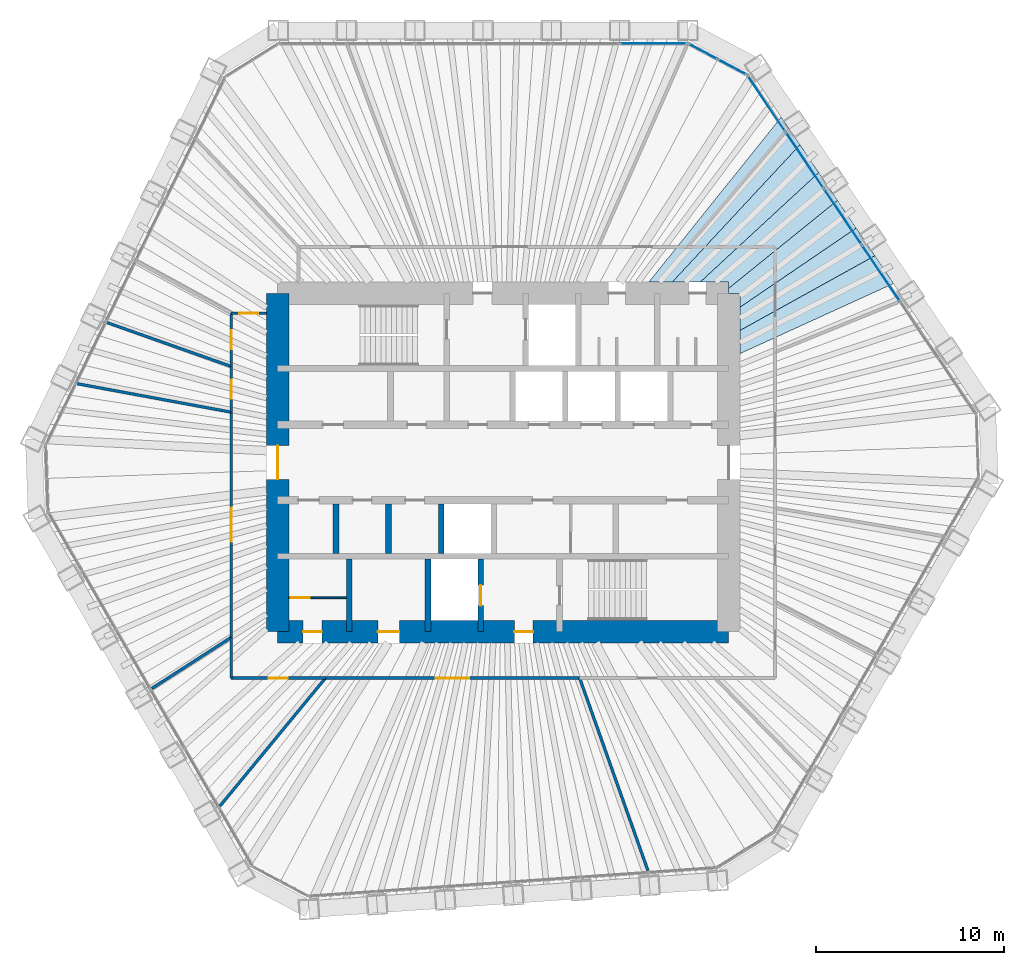
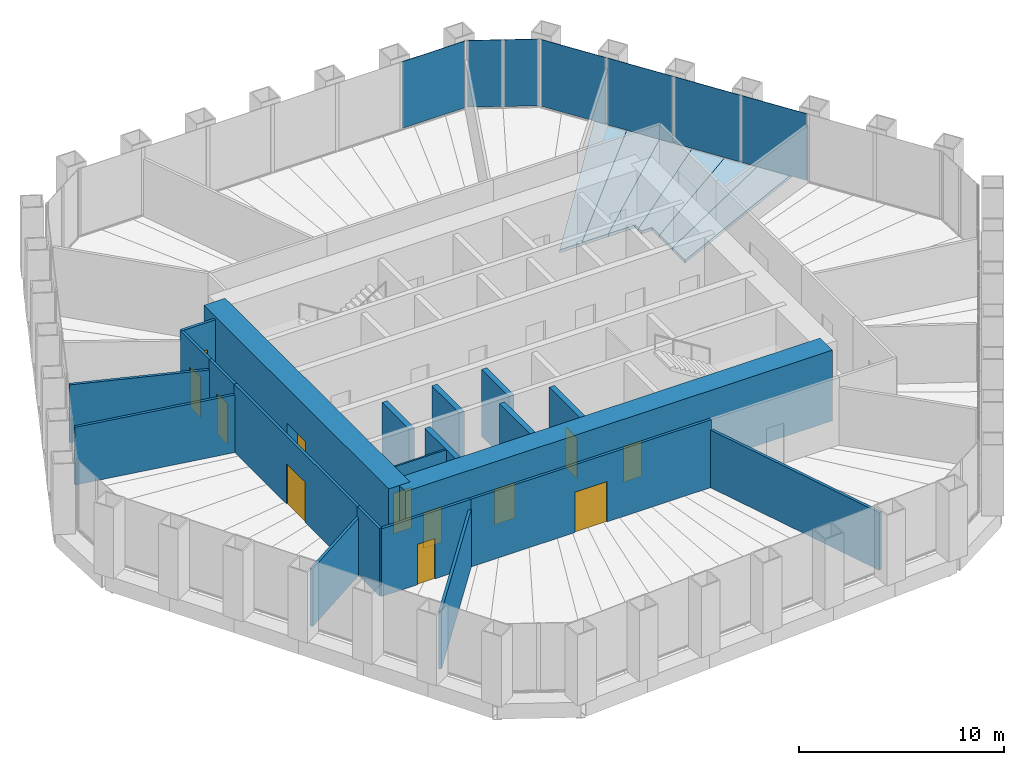
# One storey, part 10 of 13: 21 walls, 12 doors, 7 plates, 6 slabs, 12 openings, 3 elements without a shape of their own.
"""IFC4 building model written with IfcOpenShell, lengths in metres."""

from ifc_helpers import new_model, si_unit, direction, frame, frame_2d, origin, origin_2d, place, context, subcontext, project, spatial, polyline, rectangle, outline, extrude, material, layer, layer_set, type_object, element, fill, aggregate, save


model = new_model("IFC4")

# Units and contexts
model_context = context("Model", 3, precision=1e-05, world=origin(), true_north=direction((0.0, 1.0)))
body_context = subcontext(model_context, "Body", "Model", "MODEL_VIEW")
ifc_project = project(units=[si_unit("LENGTHUNIT", "METRE"), si_unit("AREAUNIT", "SQUARE_METRE"), si_unit("VOLUMEUNIT", "CUBIC_METRE"), si_unit("PLANEANGLEUNIT", "RADIAN"), si_unit("MASSUNIT", "GRAM", prefix="KILO")], contexts=[model_context])

# Site, building, storey
site_placement = place(None, origin())
site = spatial("IfcSite", under=ifc_project, at=site_placement, CompositionType="ELEMENT")
building_placement = place(site_placement, origin())
building = spatial("IfcBuilding", under=site, at=building_placement, Name="Qingtian Harvest Tower", CompositionType="ELEMENT")
storey_placement = place(building_placement, frame((0.0, 0.0, 188.800048828125)))
storey = spatial("IfcBuildingStorey", under=building, at=storey_placement, Name="L40", CompositionType="ELEMENT", Elevation=188.800048828125)

# Slabs
ifc_material_1 = material(Name="Concrete fc' 35 MPa", Category="concrete")
ifc_layer_1 = layer(ifc_material_1, 0.169921875)
ifc_layer_set_1 = layer_set([ifc_layer_1], Name="Composite floor slab FS17 170")
slab_type = type_object("IfcSlabType", Name="Composite floor slab FS17 170", PredefinedType="FLOOR", material=ifc_layer_set_1)
slab_1_placement = place(storey_placement, frame((0.0, 0.0, -0.170166015625)))
element("IfcSlab", 1, at=slab_1_placement, inside=storey, type_object=slab_type, Name="Floor slab L40 panel D45", PredefinedType="FLOOR", context=body_context, shape_type="SweptSolid", body=[
    extrude(outline(polyline([(12.60009765625, 7.023681640625), (19.7841796875, 11.003662109375), (20.780517578125, 9.526611328125), (12.60009765625, 5.7900390625), (12.60009765625, 7.023681640625)])), origin(), (0.0, 0.0, 1.0), 0.170166015625),
])
slab_2_placement = place(storey_placement, frame((0.0, 0.0, -0.170166015625)))
element("IfcSlab", 2, at=slab_2_placement, inside=storey, type_object=slab_type, Name="Floor slab L40 panel D46", PredefinedType="FLOOR", context=body_context, shape_type="SweptSolid", body=[
    extrude(outline(polyline([(12.60009765625, 8.260498046875), (18.791259765625, 12.475830078125), (19.7841796875, 11.003662109375), (12.60009765625, 7.023681640625), (12.60009765625, 8.260498046875)])), origin(), (0.0, 0.0, 1.0), 0.170166015625),
])
slab_3_placement = place(storey_placement, frame((0.0, 0.0, -0.170166015625)))
element("IfcSlab", 3, at=slab_3_placement, inside=storey, type_object=slab_type, Name="Floor slab L40 panel D47", PredefinedType="FLOOR", context=body_context, shape_type="SweptSolid", body=[
    extrude(outline(polyline([(12.60009765625, 9.0), (12.0, 9.0), (12.0, 9.2666015625), (17.795654296875, 13.95166015625), (18.791259765625, 12.475830078125), (12.60009765625, 8.260498046875), (12.60009765625, 9.0)])), origin(), (0.0, 0.0, 1.0), 0.170166015625),
])
slab_4_placement = place(storey_placement, frame((0.0, 0.0, -0.170166015625)))
element("IfcSlab", 4, at=slab_4_placement, inside=storey, type_object=slab_type, Name="Floor slab L40 panel D48", PredefinedType="FLOOR", context=body_context, shape_type="SweptSolid", body=[
    extrude(outline(polyline([(12.0, 9.60009765625), (10.48583984375, 9.60009765625), (16.79638671875, 15.43310546875), (17.795654296875, 13.95166015625), (12.0, 9.2666015625), (12.0, 9.60009765625)])), origin(), (0.0, 0.0, 1.0), 0.170166015625),
])
slab_5_placement = place(storey_placement, frame((0.0, 0.0, -0.170166015625)))
element("IfcSlab", 5, at=slab_5_placement, inside=storey, type_object=slab_type, Name="Floor slab L40 panel D49", PredefinedType="FLOOR", context=body_context, shape_type="SweptSolid", body=[
    extrude(outline(polyline([(8.998291015625, 9.60009765625), (15.800048828125, 16.910400390625), (16.79638671875, 15.43310546875), (10.48583984375, 9.60009765625), (8.998291015625, 9.60009765625)])), origin(), (0.0, 0.0, 1.0), 0.170166015625),
])
slab_6_placement = place(storey_placement, frame((0.0, 0.0, -0.170166015625)))
element("IfcSlab", 6, at=slab_6_placement, inside=storey, type_object=slab_type, Name="Floor slab L40 panel D50", PredefinedType="FLOOR", context=body_context, shape_type="SweptSolid", body=[
    extrude(outline(polyline([(7.751220703125, 9.60009765625), (14.8037109375, 18.3876953125), (15.800048828125, 16.910400390625), (8.998291015625, 9.60009765625), (7.751220703125, 9.60009765625)])), origin(), (0.0, 0.0, 1.0), 0.170166015625),
])

# Curtain wall, plate
ifc_material_2 = material(Name="Bronze-anodised aluminium curtain wall", Category="aluminium")
curtain_wall_type = type_object("IfcCurtainWallType", Name="Curtain wall CW4 office", PredefinedType="USERDEFINED", material=ifc_material_2)
curtain_wall_1_placement = place(storey_placement, origin())
curtain_wall_1 = element("IfcCurtainWall", 7, at=curtain_wall_1_placement, inside=storey, type_object=curtain_wall_type, Name="Curtain wall CW4 L40 N0-5", ObjectType="RECESSED CURTAIN WALL", PredefinedType="USERDEFINED")
ifc_material_3 = material(Name="Bronze-tinted laminated insulating glass", Category="glass")
ifc_layer_2 = layer(ifc_material_3, 0.030029296875)
ifc_layer_set_2 = layer_set([ifc_layer_2], Name="Glazed panel CWP tinted IGU")
plate_type = type_object("IfcPlateType", Name="Glazed panel CWP tinted IGU", PredefinedType="CURTAIN_PANEL", material=ifc_layer_set_2)
plate_1_placement = place(storey_placement, frame((7.996337890625, 22.300048828125, 0.06494140625), z_axis=(0.0, 0.0, 1.0), x_axis=(1.0, 0.0, 0.0)))
plate_1 = element("IfcPlate", 8, at=plate_1_placement, type_object=plate_type, Name="CW4 panel 6.1", PredefinedType="CURTAIN_PANEL", context=body_context, shape_type="SweptSolid", body=[
    extrude(rectangle(XDim=3.5361328125, YDim=0.030029296875, at=origin_2d()), origin(), (0.0, 0.0, 1.0), 3.965087890625),
])
aggregate(curtain_wall_1, [plate_1])

# Curtain wall, plates
curtain_wall_2_placement = place(storey_placement, origin())
curtain_wall_2 = element("IfcCurtainWall", 9, at=curtain_wall_2_placement, inside=storey, type_object=curtain_wall_type, Name="Curtain wall CW4 L40 NC", ObjectType="RECESSED CURTAIN WALL", PredefinedType="USERDEFINED")
plate_2_placement = place(storey_placement, frame((10.634033203125, 21.8720703125, 0.06494140625), z_axis=(0.0, 0.0, 1.0), x_axis=(0.882947592859, -0.469471562786, 0.0)))
plate_2 = element("IfcPlate", 10, at=plate_2_placement, type_object=plate_type, Name="CW4 panel 1.1", PredefinedType="CURTAIN_PANEL", context=body_context, shape_type="SweptSolid", body=[
    extrude(rectangle(XDim=1.69287109375, YDim=0.030029296875, at=origin_2d()), origin(), (0.0, 0.0, 1.0), 3.965087890625),
])
plate_3_placement = place(storey_placement, frame((12.186279296875, 21.046875, 0.06494140625), z_axis=(0.0, 0.0, 1.0), x_axis=(0.882947592859, -0.469471562786, 0.0)))
plate_3 = element("IfcPlate", 11, at=plate_3_placement, type_object=plate_type, Name="CW4 panel 2.1", PredefinedType="CURTAIN_PANEL", context=body_context, shape_type="SweptSolid", body=[
    extrude(rectangle(XDim=1.69287109375, YDim=0.030029296875, at=origin_2d()), origin(), (0.0, 0.0, 1.0), 3.965087890625),
])
aggregate(curtain_wall_2, [plate_2, plate_3])

curtain_wall_3_placement = place(storey_placement, origin())
curtain_wall_3 = element("IfcCurtainWall", 12, at=curtain_wall_3_placement, inside=storey, type_object=curtain_wall_type, Name="Curtain wall CW4 L40 NE0-5", ObjectType="RECESSED CURTAIN WALL", PredefinedType="USERDEFINED")
plate_4_placement = place(storey_placement, frame((14.01611328125, 19.09912109375, 0.06494140625), z_axis=(0.0, 0.0, 1.0), x_axis=(0.559192903471, -0.829037572555, 0.0)))
plate_4 = element("IfcPlate", 13, at=plate_4_placement, type_object=plate_type, Name="CW4 panel 1.1", PredefinedType="CURTAIN_PANEL", context=body_context, shape_type="SweptSolid", body=[
    extrude(rectangle(XDim=3.5361328125, YDim=0.030029296875, at=origin_2d()), origin(), (0.0, 0.0, 1.0), 3.965087890625),
])
plate_5_placement = place(storey_placement, frame((16.038818359375, 16.100341796875, 0.06494140625), z_axis=(0.0, 0.0, 1.0), x_axis=(0.559192903471, -0.829037572555, 0.0)))
plate_5 = element("IfcPlate", 14, at=plate_5_placement, type_object=plate_type, Name="CW4 panel 2.1", PredefinedType="CURTAIN_PANEL", context=body_context, shape_type="SweptSolid", body=[
    extrude(rectangle(XDim=3.568603515625, YDim=0.030029296875, at=origin_2d()), origin(), (0.0, 0.0, 1.0), 3.965087890625),
])
plate_6_placement = place(storey_placement, frame((18.07080078125, 13.087890625, 0.06494140625), z_axis=(0.0, 0.0, 1.0), x_axis=(0.559192903471, -0.829037572555, 0.0)))
plate_6 = element("IfcPlate", 15, at=plate_6_placement, type_object=plate_type, Name="CW4 panel 3.1", PredefinedType="CURTAIN_PANEL", context=body_context, shape_type="SweptSolid", body=[
    extrude(rectangle(XDim=3.568603515625, YDim=0.030029296875, at=origin_2d()), origin(), (0.0, 0.0, 1.0), 3.965087890625),
])
plate_7_placement = place(storey_placement, frame((20.1025390625, 10.07568359375, 0.06494140625), z_axis=(0.0, 0.0, 1.0), x_axis=(0.559192903471, -0.829037572555, 0.0)))
plate_7 = element("IfcPlate", 16, at=plate_7_placement, type_object=plate_type, Name="CW4 panel 4.1", PredefinedType="CURTAIN_PANEL", context=body_context, shape_type="SweptSolid", body=[
    extrude(rectangle(XDim=3.568603515625, YDim=0.030029296875, at=origin_2d()), origin(), (0.0, 0.0, 1.0), 3.965087890625),
])
aggregate(curtain_wall_3, [plate_4, plate_5, plate_6, plate_7])

# Walls
ifc_material_4 = material(Name="Precast concrete shaft panel", Category="concrete")
ifc_layer_3 = layer(ifc_material_4, 0.300048828125)
ifc_layer_set_3 = layer_set([ifc_layer_3], Name="Core shaft partition SW1 300")
wall_type_1 = type_object("IfcWallType", Name="Core shaft partition SW1 300", PredefinedType="PARTITIONING", material=ifc_layer_set_3)
for number, where, z_axis, x_axis, name in (
    (17, (-8.89990234375, -4.85009765625, 0.0), (0.0, 0.0, 1.0), (0.0, 1.0, 0.0), "Core shaft partition XB1 L40"),
    (18, (-6.10009765625, -4.85009765625, 0.0), (0.0, 0.0, 1.0), (0.0, 1.0, 0.0), "Core shaft partition XB2 L40"),
    (19, (-3.300048828125, -4.85009765625, 0.0), (0.0, 0.0, 1.0), (0.0, 1.0, 0.0), "Core shaft partition XB3 L40"),
):
    element("IfcWall", number, at=place(storey_placement, frame(where, z_axis=z_axis, x_axis=x_axis)), inside=storey, type_object=wall_type_1, Name=name, PredefinedType="PARTITIONING", context=body_context, shape_type="SweptSolid", body=[
        extrude(rectangle(XDim=2.650146484375, YDim=0.300048828125, at=frame_2d((1.3251953125, 0.0))), origin(), (0.0, 0.0, 1.0), 3.97998046875),
    ])
for number, where, z_axis, x_axis, name in (
    (20, (-8.199951171875, -9.0, 0.0), (0.0, 0.0, 1.0), (0.0, 1.0, 0.0), "Core shaft partition XS1 L40"),
    (21, (-4.0, -9.0, 0.0), (0.0, 0.0, 1.0), (0.0, 1.0, 0.0), "Core shaft partition XS2 L40"),
):
    element("IfcWall", number, at=place(storey_placement, frame(where, z_axis=z_axis, x_axis=x_axis)), inside=storey, type_object=wall_type_1, Name=name, PredefinedType="PARTITIONING", context=body_context, shape_type="SweptSolid", body=[
        extrude(rectangle(XDim=3.85009765625, YDim=0.300048828125, at=frame_2d((1.925048828125, 0.0))), origin(), (0.0, 0.0, 1.0), 3.97998046875),
    ])

# Wall, opening, door
wall_1_placement = place(storey_placement, frame((-1.199951171875, -9.0, 0.0), z_axis=(0.0, 0.0, 1.0), x_axis=(0.0, 1.0, 0.0)))
wall_1 = element("IfcWall", 22, at=wall_1_placement, inside=storey, type_object=wall_type_1, Name="Core shaft partition XS3 L40", PredefinedType="PARTITIONING", context=body_context, shape_type="SweptSolid", body=[
    extrude(rectangle(XDim=3.85009765625, YDim=0.300048828125, at=frame_2d((1.925048828125, 0.0))), origin(), (0.0, 0.0, 1.0), 3.97998046875),
])
opening_1_placement = place(wall_1_placement, frame((1.375, 0.0, 0.0)))
opening_1 = element("IfcOpeningElement", 23, at=opening_1_placement, cuts=wall_1, Name="Opening LD1", PredefinedType="OPENING", context=body_context, shape_type="SweptSolid", body=[
    extrude(rectangle(XDim=1.10009765625, YDim=2.39990234375, at=frame_2d((0.550048828125, 1.199951171875))), frame((0.0, 0.159912109375, 0.0), z_axis=(0.0, -1.0, 0.0), x_axis=(1.0, 0.0, 0.0)), (0.0, 0.0, 1.0), 0.320068359375),
])
ifc_material_5 = material(Name="Stainless steel lift landing door", Category="steel")
door_type_1 = type_object("IfcDoorType", Name="Lift landing door LD1 1 HR", OperationType="DOUBLE_DOOR_SLIDING", PredefinedType="DOOR", material=ifc_material_5)
door_1_placement = place(opening_1_placement, origin())
door_1 = element("IfcDoor", 24, at=door_1_placement, inside=storey, type_object=door_type_1, Name="FL2 landing door L40", OperationType="DOUBLE_DOOR_SLIDING", OverallHeight=2.39990234375, OverallWidth=1.10009765625, PredefinedType="DOOR", context=body_context, shape_type="SweptSolid", body=[
    extrude(rectangle(XDim=1.10009765625, YDim=2.39990234375, at=frame_2d((0.550048828125, 1.199951171875))), frame((0.0, 0.02490234375, 0.0), z_axis=(0.0, -1.0, 0.0), x_axis=(1.0, 0.0, 0.0)), (0.0, 0.0, 1.0), 0.050048828125),
])
fill(opening_1, door_1)

# Wall, openings, doors
ifc_material_6 = material(Name="Concrete fc' 70 MPa", Category="concrete")
ifc_layer_4 = layer(ifc_material_6, 1.199951171875)
ifc_layer_set_4 = layer_set([ifc_layer_4], Name="Core wall RC2 1200")
wall_type_2 = type_object("IfcWallType", Name="Core wall RC2 1200", PredefinedType="SHEAR", material=ifc_layer_set_4)
wall_2_placement = place(storey_placement, frame((-12.0, -9.0, 0.0), z_axis=(0.0, 0.0, 1.0), x_axis=(1.0, 0.0, 0.0)))
wall_2 = element("IfcWall", 25, at=wall_2_placement, inside=storey, type_object=wall_type_2, Name="Core wall CS L40", PredefinedType="SHEAR", context=body_context, shape_type="SweptSolid", body=[
    extrude(rectangle(XDim=24.0, YDim=1.199951171875, at=frame_2d((12.0, 0.0))), origin(), (0.0, 0.0, 1.0), 4.199951171875),
])
opening_2_placement = place(wall_2_placement, frame((1.35009765625, 0.0, 0.0)))
opening_2 = element("IfcOpeningElement", 26, at=opening_2_placement, cuts=wall_2, Name="Opening FD1", PredefinedType="OPENING", context=body_context, shape_type="SweptSolid", body=[
    extrude(rectangle(XDim=1.0, YDim=2.10009765625, at=frame_2d((0.5, 1.050048828125))), frame((0.0, 0.60986328125, 0.0), z_axis=(0.0, -1.0, 0.0), x_axis=(1.0, 0.0, 0.0)), (0.0, 0.0, 1.0), 1.219970703125),
])
opening_3_placement = place(wall_2_placement, frame((5.324951171875, 0.0, 0.0)))
opening_3 = element("IfcOpeningElement", 27, at=opening_3_placement, cuts=wall_2, Name="Opening AD1", PredefinedType="OPENING", context=body_context, shape_type="SweptSolid", body=[
    extrude(rectangle(XDim=1.14990234375, YDim=2.10009765625, at=frame_2d((0.574951171875, 1.050048828125))), frame((0.0, 0.60986328125, 0.0), z_axis=(0.0, -1.0, 0.0), x_axis=(1.0, 0.0, 0.0)), (0.0, 0.0, 1.0), 1.219970703125),
])
opening_4_placement = place(wall_2_placement, frame((12.60009765625, 0.0, 0.0)))
opening_4 = element("IfcOpeningElement", 28, at=opening_4_placement, cuts=wall_2, Name="Opening FD1", PredefinedType="OPENING", context=body_context, shape_type="SweptSolid", body=[
    extrude(rectangle(XDim=1.0, YDim=2.10009765625, at=frame_2d((0.5, 1.050048828125))), frame((0.0, 0.60986328125, 0.0), z_axis=(0.0, -1.0, 0.0), x_axis=(1.0, 0.0, 0.0)), (0.0, 0.0, 1.0), 1.219970703125),
])
ifc_material_7 = material(Name="Laminated timber door leaf", Category="wood")
door_type_2 = type_object("IfcDoorType", Name="Accessible WC door AD1 single", OperationType="SINGLE_SWING_LEFT", PredefinedType="DOOR", material=ifc_material_7)
door_2_placement = place(opening_3_placement, origin())
door_2 = element("IfcDoor", 29, at=door_2_placement, inside=storey, type_object=door_type_2, Name="AWC door L40", OperationType="SINGLE_SWING_LEFT", OverallHeight=2.10009765625, OverallWidth=1.14990234375, PredefinedType="DOOR", context=body_context, shape_type="SweptSolid", body=[
    extrude(rectangle(XDim=1.14990234375, YDim=2.10009765625, at=frame_2d((0.574951171875, 1.050048828125))), frame((0.0, 0.02490234375, 0.0), z_axis=(0.0, -1.0, 0.0), x_axis=(1.0, 0.0, 0.0)), (0.0, 0.0, 1.0), 0.050048828125),
])
fill(opening_3, door_2)
ifc_material_8 = material(Name="Steel-faced door leaf", Category="steel")
door_type_3 = type_object("IfcDoorType", Name="Fire door FD1 single 1 HR", OperationType="SINGLE_SWING_LEFT", PredefinedType="DOOR", material=ifc_material_8)
door_3_placement = place(opening_2_placement, origin())
door_3 = element("IfcDoor", 30, at=door_3_placement, inside=storey, type_object=door_type_3, Name="CLN door L40", OperationType="SINGLE_SWING_LEFT", OverallHeight=2.10009765625, OverallWidth=1.0, PredefinedType="DOOR", context=body_context, shape_type="SweptSolid", body=[
    extrude(rectangle(XDim=1.0, YDim=2.10009765625, at=frame_2d((0.5, 1.050048828125))), frame((0.0, 0.02490234375, 0.0), z_axis=(0.0, -1.0, 0.0), x_axis=(1.0, 0.0, 0.0)), (0.0, 0.0, 1.0), 0.050048828125),
])
fill(opening_2, door_3)
door_4_placement = place(opening_4_placement, origin())
door_4 = element("IfcDoor", 31, at=door_4_placement, inside=storey, type_object=door_type_3, Name="V2 door L40", OperationType="SINGLE_SWING_LEFT", OverallHeight=2.10009765625, OverallWidth=1.0, PredefinedType="DOOR", context=body_context, shape_type="SweptSolid", body=[
    extrude(rectangle(XDim=1.0, YDim=2.10009765625, at=frame_2d((0.5, 1.050048828125))), frame((0.0, 0.02490234375, 0.0), z_axis=(0.0, -1.0, 0.0), x_axis=(1.0, 0.0, 0.0)), (0.0, 0.0, 1.0), 0.050048828125),
])
fill(opening_4, door_4)

# Wall, opening, door
wall_3_placement = place(storey_placement, frame((-12.0, -9.0, 0.0), z_axis=(0.0, 0.0, 1.0), x_axis=(0.0, 1.0, 0.0)))
wall_3 = element("IfcWall", 32, at=wall_3_placement, inside=storey, type_object=wall_type_2, Name="Core wall CW L40", PredefinedType="SHEAR", context=body_context, shape_type="SweptSolid", body=[
    extrude(rectangle(XDim=18.0, YDim=1.199951171875, at=frame_2d((9.0, 0.0))), origin(), (0.0, 0.0, 1.0), 4.199951171875),
])
opening_5_placement = place(wall_3_placement, frame((8.10009765625, 0.0, 0.0)))
opening_5 = element("IfcOpeningElement", 33, at=opening_5_placement, cuts=wall_3, Name="Opening FD2", PredefinedType="OPENING", context=body_context, shape_type="SweptSolid", body=[
    extrude(rectangle(XDim=1.800048828125, YDim=2.10009765625, at=frame_2d((0.89990234375, 1.050048828125))), frame((0.0, 0.60986328125, 0.0), z_axis=(0.0, -1.0, 0.0), x_axis=(1.0, 0.0, 0.0)), (0.0, 0.0, 1.0), 1.219970703125),
])
ifc_material_9 = material(Name="Steel-faced door leaf", Category="steel")
door_type_4 = type_object("IfcDoorType", Name="Fire door FD2 double 1 HR", OperationType="DOUBLE_DOOR_DOUBLE_SWING", PredefinedType="DOOR", material=ifc_material_9)
door_5_placement = place(opening_5_placement, origin())
door_5 = element("IfcDoor", 34, at=door_5_placement, inside=storey, type_object=door_type_4, Name="LOBBY-W door L40", OperationType="DOUBLE_DOOR_DOUBLE_SWING", OverallHeight=2.10009765625, OverallWidth=1.800048828125, PredefinedType="DOOR", context=body_context, shape_type="SweptSolid", body=[
    extrude(rectangle(XDim=1.800048828125, YDim=2.10009765625, at=frame_2d((0.89990234375, 1.050048828125))), frame((0.0, 0.02490234375, 0.0), z_axis=(0.0, -1.0, 0.0), x_axis=(1.0, 0.0, 0.0)), (0.0, 0.0, 1.0), 0.050048828125),
])
fill(opening_5, door_5)

# Wall
ifc_material_10 = material(Name="Gypsum board on steel studs", Category="steel")
ifc_layer_5 = layer(ifc_material_10, 0.14990234375)
ifc_layer_set_5 = layer_set([ifc_layer_5], Name="Partition PT1 150")
wall_type_3 = type_object("IfcWallType", Name="Partition PT1 150", PredefinedType="PARTITIONING", material=ifc_layer_set_5)
wall_4_placement = place(storey_placement, frame((-22.660888671875, 4.188720703125, 0.0), z_axis=(0.0, 0.0, 1.0), x_axis=(0.983345347199, -0.181746879316, 0.0)))
element("IfcWall", 35, at=wall_4_placement, inside=storey, type_object=wall_type_3, Name="Private office wall L40", PredefinedType="PARTITIONING", context=body_context, shape_type="SweptSolid", body=[
    extrude(rectangle(XDim=8.324462890625, YDim=0.14990234375, at=frame_2d((4.162109375, 0.0))), origin(), (0.0, 0.0, 1.0), 3.429931640625),
])

# Wall, opening, door
wall_5_placement = place(storey_placement, frame((-14.47509765625, 2.67578125, 0.0), z_axis=(0.0, 0.0, 1.0), x_axis=(0.0, 1.0, 0.0)))
wall_5 = element("IfcWall", 36, at=wall_5_placement, inside=storey, type_object=wall_type_3, Name="Private office wall L40", PredefinedType="PARTITIONING", context=body_context, shape_type="SweptSolid", body=[
    extrude(rectangle(XDim=2.4345703125, YDim=0.14990234375, at=frame_2d((1.21728515625, 0.0))), origin(), (0.0, 0.0, 1.0), 4.030029296875),
])
opening_6_placement = place(wall_5_placement, frame((0.71728515625, 0.0, 0.0)))
opening_6 = element("IfcOpeningElement", 37, at=opening_6_placement, cuts=wall_5, Name="Opening D2", PredefinedType="OPENING", context=body_context, shape_type="SweptSolid", body=[
    extrude(rectangle(XDim=1.0, YDim=2.39990234375, at=frame_2d((0.5, 1.199951171875))), frame((0.0, 0.0849609375, 0.0), z_axis=(0.0, -1.0, 0.0), x_axis=(1.0, 0.0, 0.0)), (0.0, 0.0, 1.0), 0.169921875),
])
ifc_material_11 = material(Name="Laminated timber door leaf", Category="wood")
door_type_5 = type_object("IfcDoorType", Name="Room door D2 single", OperationType="SINGLE_SWING_LEFT", PredefinedType="DOOR", material=ifc_material_11)
door_6_placement = place(opening_6_placement, origin())
door_6 = element("IfcDoor", 38, at=door_6_placement, inside=storey, type_object=door_type_5, Name="Private office door L40", OperationType="SINGLE_SWING_RIGHT", OverallHeight=2.39990234375, OverallWidth=1.0, PredefinedType="DOOR", context=body_context, shape_type="SweptSolid", body=[
    extrude(rectangle(XDim=1.0, YDim=2.39990234375, at=frame_2d((0.5, 1.199951171875))), frame((0.0, 0.02490234375, 0.0), z_axis=(0.0, -1.0, 0.0), x_axis=(1.0, 0.0, 0.0)), (0.0, 0.0, 1.0), 0.050048828125),
])
fill(opening_6, door_6)

# Wall
wall_6_placement = place(storey_placement, frame((-21.072021484375, 7.439453125, 0.0), z_axis=(0.0, 0.0, 1.0), x_axis=(0.94295553867, -0.332918686907, 0.0)))
element("IfcWall", 39, at=wall_6_placement, inside=storey, type_object=wall_type_3, Name="Private office wall L40", PredefinedType="PARTITIONING", context=body_context, shape_type="SweptSolid", body=[
    extrude(rectangle(XDim=6.99609375, YDim=0.14990234375, at=frame_2d((3.498046875, 0.0))), origin(), (0.0, 0.0, 1.0), 3.429931640625),
])

# Wall, opening, door
wall_7_placement = place(storey_placement, frame((-14.47509765625, 5.1103515625, 0.0), z_axis=(0.0, 0.0, 1.0), x_axis=(0.0, 1.0, 0.0)))
wall_7 = element("IfcWall", 40, at=wall_7_placement, inside=storey, type_object=wall_type_3, Name="Private office wall L40", PredefinedType="PARTITIONING", context=body_context, shape_type="SweptSolid", body=[
    extrude(rectangle(XDim=2.8310546875, YDim=0.14990234375, at=frame_2d((1.41552734375, 0.0))), origin(), (0.0, 0.0, 1.0), 4.030029296875),
])
opening_7_placement = place(wall_7_placement, frame((0.91552734375, 0.0, 0.0)))
opening_7 = element("IfcOpeningElement", 41, at=opening_7_placement, cuts=wall_7, Name="Opening D2", PredefinedType="OPENING", context=body_context, shape_type="SweptSolid", body=[
    extrude(rectangle(XDim=1.0, YDim=2.39990234375, at=frame_2d((0.5, 1.199951171875))), frame((0.0, 0.0849609375, 0.0), z_axis=(0.0, -1.0, 0.0), x_axis=(1.0, 0.0, 0.0)), (0.0, 0.0, 1.0), 0.169921875),
])
door_7_placement = place(opening_7_placement, origin())
door_7 = element("IfcDoor", 42, at=door_7_placement, inside=storey, type_object=door_type_5, Name="Private office door L40", OperationType="SINGLE_SWING_LEFT", OverallHeight=2.39990234375, OverallWidth=1.0, PredefinedType="DOOR", context=body_context, shape_type="SweptSolid", body=[
    extrude(rectangle(XDim=1.0, YDim=2.39990234375, at=frame_2d((0.5, 1.199951171875))), frame((0.0, 0.02490234375, 0.0), z_axis=(0.0, -1.0, 0.0), x_axis=(1.0, 0.0, 0.0)), (0.0, 0.0, 1.0), 0.050048828125),
])
fill(opening_7, door_7)

wall_8_placement = place(storey_placement, frame((-14.47509765625, 7.94140625, 0.0), z_axis=(0.0, 0.0, 1.0), x_axis=(1.0, 0.0, 0.0)))
wall_8 = element("IfcWall", 43, at=wall_8_placement, inside=storey, type_object=wall_type_3, Name="Huddle room wall L40", PredefinedType="PARTITIONING", context=body_context, shape_type="SweptSolid", body=[
    extrude(rectangle(XDim=1.875, YDim=0.14990234375, at=frame_2d((0.9375, 0.0))), origin(), (0.0, 0.0, 1.0), 4.030029296875),
])
opening_8_placement = place(wall_8_placement, frame((0.4375, 0.0, 0.0)))
opening_8 = element("IfcOpeningElement", 44, at=opening_8_placement, cuts=wall_8, Name="Opening D2", PredefinedType="OPENING", context=body_context, shape_type="SweptSolid", body=[
    extrude(rectangle(XDim=1.0, YDim=2.39990234375, at=frame_2d((0.5, 1.199951171875))), frame((0.0, 0.0849609375, 0.0), z_axis=(0.0, -1.0, 0.0), x_axis=(1.0, 0.0, 0.0)), (0.0, 0.0, 1.0), 0.169921875),
])
door_8_placement = place(opening_8_placement, origin())
door_8 = element("IfcDoor", 45, at=door_8_placement, inside=storey, type_object=door_type_5, Name="Huddle room door L40", OperationType="SINGLE_SWING_LEFT", OverallHeight=2.39990234375, OverallWidth=1.0, PredefinedType="DOOR", context=body_context, shape_type="SweptSolid", body=[
    extrude(rectangle(XDim=1.0, YDim=2.39990234375, at=frame_2d((0.5, 1.199951171875))), frame((0.0, 0.02490234375, 0.0), z_axis=(0.0, -1.0, 0.0), x_axis=(1.0, 0.0, 0.0)), (0.0, 0.0, 1.0), 0.050048828125),
])
fill(opening_8, door_8)

# Wall
wall_9_placement = place(storey_placement, frame((7.702880859375, -21.71923828125, 0.0), z_axis=(0.0, 0.0, 1.0), x_axis=(-0.334269551553, 0.942477515331, 0.0)))
element("IfcWall", 46, at=wall_9_placement, inside=storey, type_object=wall_type_3, Name="Workplace zone wall L40", PredefinedType="PARTITIONING", context=body_context, shape_type="SweptSolid", body=[
    extrude(rectangle(XDim=10.869384765625, YDim=0.14990234375, at=frame_2d((5.4345703125, 0.0))), origin(), (0.0, 0.0, 1.0), 3.429931640625),
])

# Wall, opening, door
wall_10_placement = place(storey_placement, frame((4.069580078125, -11.47509765625, 0.0), z_axis=(0.0, 0.0, 1.0), x_axis=(-1.0, 0.0, 0.0)))
wall_10 = element("IfcWall", 47, at=wall_10_placement, inside=storey, type_object=wall_type_3, Name="Workplace zone wall L40", PredefinedType="PARTITIONING", context=body_context, shape_type="SweptSolid", body=[
    extrude(rectangle(XDim=13.5283203125, YDim=0.14990234375, at=frame_2d((6.76416015625, 0.0))), origin(), (0.0, 0.0, 1.0), 4.030029296875),
])
opening_9_placement = place(wall_10_placement, frame((5.8642578125, 0.0, 0.0)))
opening_9 = element("IfcOpeningElement", 48, at=opening_9_placement, cuts=wall_10, Name="Opening D3", PredefinedType="OPENING", context=body_context, shape_type="SweptSolid", body=[
    extrude(rectangle(XDim=1.800048828125, YDim=2.39990234375, at=frame_2d((0.89990234375, 1.199951171875))), frame((0.0, 0.0849609375, 0.0), z_axis=(0.0, -1.0, 0.0), x_axis=(1.0, 0.0, 0.0)), (0.0, 0.0, 1.0), 0.169921875),
])
ifc_material_12 = material(Name="Laminated timber door leaf", Category="wood")
door_type_6 = type_object("IfcDoorType", Name="Room door D3 double", OperationType="DOUBLE_DOOR_DOUBLE_SWING", PredefinedType="DOOR", material=ifc_material_12)
door_9_placement = place(opening_9_placement, origin())
door_9 = element("IfcDoor", 49, at=door_9_placement, inside=storey, type_object=door_type_6, Name="Workplace zone door L40", OperationType="DOUBLE_DOOR_DOUBLE_SWING", OverallHeight=2.39990234375, OverallWidth=1.800048828125, PredefinedType="DOOR", context=body_context, shape_type="SweptSolid", body=[
    extrude(rectangle(XDim=1.800048828125, YDim=2.39990234375, at=frame_2d((0.89990234375, 1.199951171875))), frame((0.0, 0.02490234375, 0.0), z_axis=(0.0, -1.0, 0.0), x_axis=(1.0, 0.0, 0.0)), (0.0, 0.0, 1.0), 0.050048828125),
])
fill(opening_9, door_9)

# Wall
wall_11_placement = place(storey_placement, frame((-15.07958984375, -18.294189453125, 0.0), z_axis=(0.0, 0.0, 1.0), x_axis=(0.636052894953, 0.771645459277, 0.0)))
element("IfcWall", 50, at=wall_11_placement, inside=storey, type_object=wall_type_3, Name="Huddle room wall L40", PredefinedType="PARTITIONING", context=body_context, shape_type="SweptSolid", body=[
    extrude(rectangle(XDim=8.837158203125, YDim=0.14990234375, at=frame_2d((4.41845703125, 0.0))), origin(), (0.0, 0.0, 1.0), 3.429931640625),
])

# Wall, opening, door
wall_12_placement = place(storey_placement, frame((-9.458740234375, -11.47509765625, 0.0), z_axis=(0.0, 0.0, 1.0), x_axis=(-1.0, 0.0, 0.0)))
wall_12 = element("IfcWall", 51, at=wall_12_placement, inside=storey, type_object=wall_type_3, Name="Huddle room wall L40", PredefinedType="PARTITIONING", context=body_context, shape_type="SweptSolid", body=[
    extrude(rectangle(XDim=5.016357421875, YDim=0.14990234375, at=frame_2d((2.50830078125, 0.0))), origin(), (0.0, 0.0, 1.0), 4.030029296875),
])
opening_10_placement = place(wall_12_placement, frame((2.00830078125, 0.0, 0.0)))
opening_10 = element("IfcOpeningElement", 52, at=opening_10_placement, cuts=wall_12, Name="Opening D2", PredefinedType="OPENING", context=body_context, shape_type="SweptSolid", body=[
    extrude(rectangle(XDim=1.0, YDim=2.39990234375, at=frame_2d((0.5, 1.199951171875))), frame((0.0, 0.0849609375, 0.0), z_axis=(0.0, -1.0, 0.0), x_axis=(1.0, 0.0, 0.0)), (0.0, 0.0, 1.0), 0.169921875),
])
door_10_placement = place(opening_10_placement, origin())
door_10 = element("IfcDoor", 53, at=door_10_placement, inside=storey, type_object=door_type_5, Name="Huddle room door L40", OperationType="SINGLE_SWING_LEFT", OverallHeight=2.39990234375, OverallWidth=1.0, PredefinedType="DOOR", context=body_context, shape_type="SweptSolid", body=[
    extrude(rectangle(XDim=1.0, YDim=2.39990234375, at=frame_2d((0.5, 1.199951171875))), frame((0.0, 0.02490234375, 0.0), z_axis=(0.0, -1.0, 0.0), x_axis=(1.0, 0.0, 0.0)), (0.0, 0.0, 1.0), 0.050048828125),
])
fill(opening_10, door_10)

# Walls
wall_13_placement = place(storey_placement, frame((-14.47509765625, -11.47509765625, 0.0), z_axis=(0.0, 0.0, 1.0), x_axis=(0.0, 1.0, 0.0)))
element("IfcWall", 54, at=wall_13_placement, inside=storey, type_object=wall_type_3, Name="Huddle room wall L40", PredefinedType="PARTITIONING", context=body_context, shape_type="SweptSolid", body=[
    extrude(rectangle(XDim=2.164306640625, YDim=0.14990234375, at=frame_2d((1.08203125, 0.0))), origin(), (0.0, 0.0, 1.0), 4.030029296875),
])
wall_14_placement = place(storey_placement, frame((-18.692626953125, -12.023681640625, 0.0), z_axis=(0.0, 0.0, 1.0), x_axis=(0.841031335058, 0.540986407824, 0.0)))
element("IfcWall", 55, at=wall_14_placement, inside=storey, type_object=wall_type_3, Name="Workplace zone wall L40", PredefinedType="PARTITIONING", context=body_context, shape_type="SweptSolid", body=[
    extrude(rectangle(XDim=5.0146484375, YDim=0.14990234375, at=frame_2d((2.50732421875, 0.0))), origin(), (0.0, 0.0, 1.0), 3.429931640625),
])

# Wall, opening, door
wall_15_placement = place(storey_placement, frame((-14.47509765625, -9.310791015625, 0.0), z_axis=(0.0, 0.0, 1.0), x_axis=(0.0, 1.0, 0.0)))
wall_15 = element("IfcWall", 56, at=wall_15_placement, inside=storey, type_object=wall_type_3, Name="Workplace zone wall L40", PredefinedType="PARTITIONING", context=body_context, shape_type="SweptSolid", body=[
    extrude(rectangle(XDim=11.986572265625, YDim=0.14990234375, at=frame_2d((5.9931640625, 0.0))), origin(), (0.0, 0.0, 1.0), 4.030029296875),
])
opening_11_placement = place(wall_15_placement, frame((5.09326171875, 0.0, 0.0)))
opening_11 = element("IfcOpeningElement", 57, at=opening_11_placement, cuts=wall_15, Name="Opening D3", PredefinedType="OPENING", context=body_context, shape_type="SweptSolid", body=[
    extrude(rectangle(XDim=1.800048828125, YDim=2.39990234375, at=frame_2d((0.89990234375, 1.199951171875))), frame((0.0, 0.0849609375, 0.0), z_axis=(0.0, -1.0, 0.0), x_axis=(1.0, 0.0, 0.0)), (0.0, 0.0, 1.0), 0.169921875),
])
door_11_placement = place(opening_11_placement, origin())
door_11 = element("IfcDoor", 58, at=door_11_placement, inside=storey, type_object=door_type_6, Name="Workplace zone door L40", OperationType="DOUBLE_DOOR_DOUBLE_SWING", OverallHeight=2.39990234375, OverallWidth=1.800048828125, PredefinedType="DOOR", context=body_context, shape_type="SweptSolid", body=[
    extrude(rectangle(XDim=1.800048828125, YDim=2.39990234375, at=frame_2d((0.89990234375, 1.199951171875))), frame((0.0, 0.02490234375, 0.0), z_axis=(0.0, -1.0, 0.0), x_axis=(1.0, 0.0, 0.0)), (0.0, 0.0, 1.0), 0.050048828125),
])
fill(opening_11, door_11)

ifc_material_13 = material(Name="Concrete block partition", Category="concrete")
ifc_layer_6 = layer(ifc_material_13, 0.10009765625)
ifc_layer_set_6 = layer_set([ifc_layer_6], Name="Store partition PT3 100")
wall_type_4 = type_object("IfcWallType", Name="Store partition PT3 100", PredefinedType="PARTITIONING", material=ifc_layer_set_6)
wall_16_placement = place(storey_placement, frame((-11.39990234375, -7.199951171875, 0.0), z_axis=(0.0, 0.0, 1.0), x_axis=(1.0, 0.0, 0.0)))
wall_16 = element("IfcWall", 59, at=wall_16_placement, inside=storey, type_object=wall_type_4, Name="Waste store wall L40", PredefinedType="PARTITIONING", context=body_context, shape_type="SweptSolid", body=[
    extrude(rectangle(XDim=3.0498046875, YDim=0.10009765625, at=frame_2d((1.52490234375, 0.0))), origin(), (0.0, 0.0, 1.0), 3.97998046875),
])
opening_12_placement = place(wall_16_placement, frame((0.10009765625, 0.0, 0.0)))
opening_12 = element("IfcOpeningElement", 60, at=opening_12_placement, cuts=wall_16, Name="Opening D2", PredefinedType="OPENING", context=body_context, shape_type="SweptSolid", body=[
    extrude(rectangle(XDim=1.0, YDim=2.39990234375, at=frame_2d((0.5, 1.199951171875))), frame((0.0, 0.06005859375, 0.0), z_axis=(0.0, -1.0, 0.0), x_axis=(1.0, 0.0, 0.0)), (0.0, 0.0, 1.0), 0.1201171875),
])
door_12_placement = place(opening_12_placement, origin())
door_12 = element("IfcDoor", 61, at=door_12_placement, inside=storey, type_object=door_type_5, Name="Waste store door L40", OperationType="SINGLE_SWING_LEFT", OverallHeight=2.39990234375, OverallWidth=1.0, PredefinedType="DOOR", context=body_context, shape_type="SweptSolid", body=[
    extrude(rectangle(XDim=1.0, YDim=2.39990234375, at=frame_2d((0.5, 1.199951171875))), frame((0.0, 0.02490234375, 0.0), z_axis=(0.0, -1.0, 0.0), x_axis=(1.0, 0.0, 0.0)), (0.0, 0.0, 1.0), 0.050048828125),
])
fill(opening_12, door_12)

save(model, "model.ifc")
